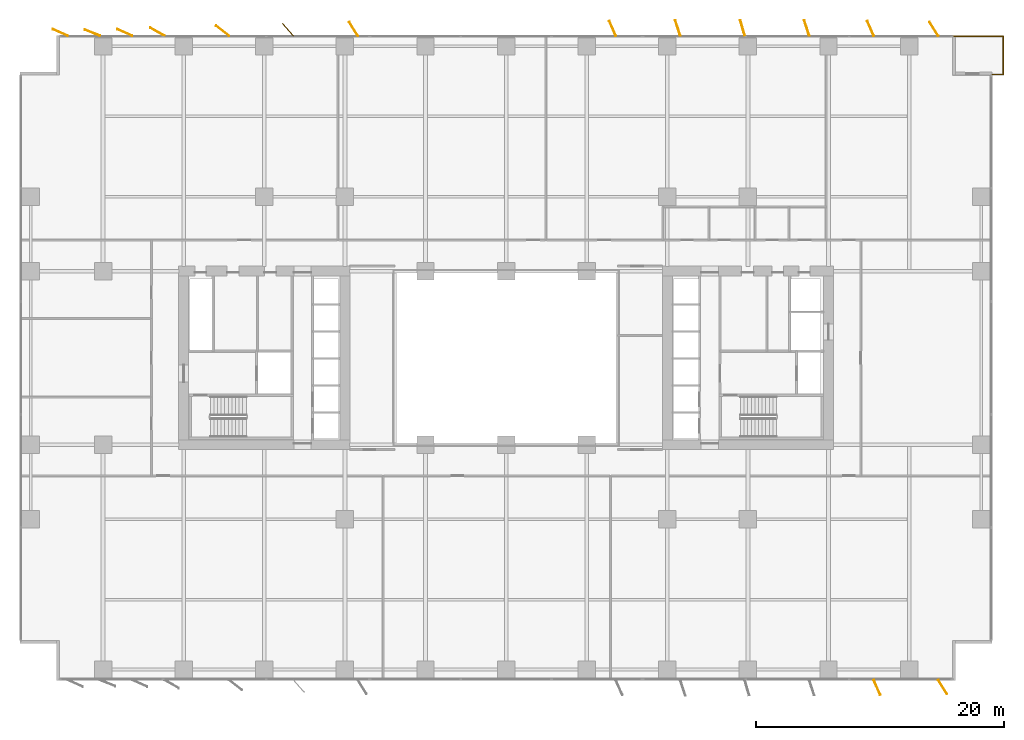
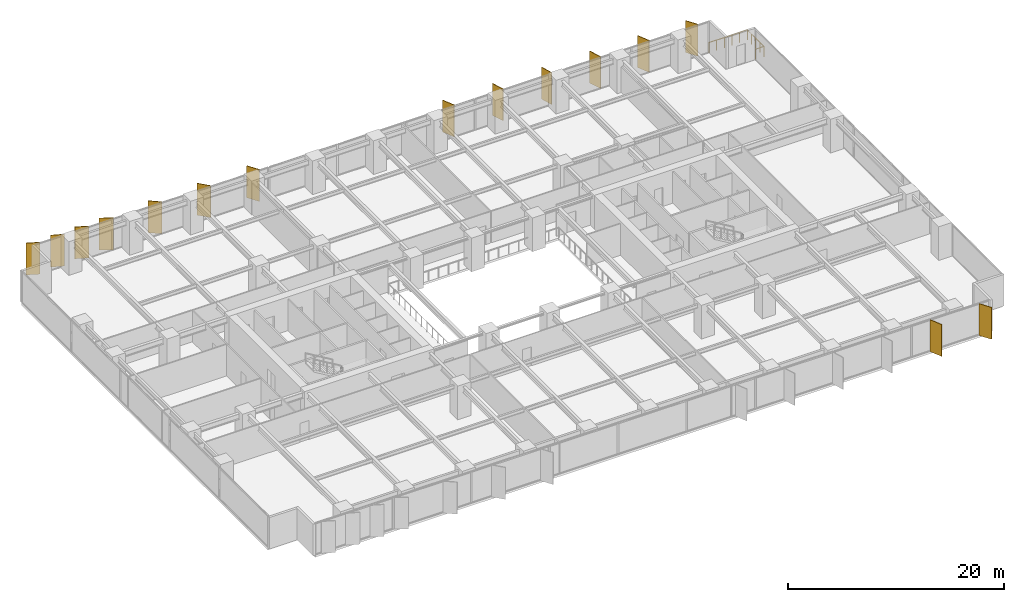
# One storey, part 20 of 20: 15 shading devices, 1 railing.
"""IFC4 building model written with IfcOpenShell, lengths in metres."""

import ifcopenshell
import ifcopenshell.guid

model = None  # the IFC model being written
_history = None  # IfcOwnerHistory: only IFC2X3 demands one
_inside = {}  # id of a spatial element -> (the spatial element, [elements in it])
_under = {}  # id of a project, library or spatial element -> (it, [spatial elements below it])
_declared = {}  # id of a project -> (the project, [libraries it declares])
_typed = {}  # id of a type object -> (the type object, [elements of that type])
_made_of = {}  # id of a material, layer set ... -> (it, [elements and type objects made of it])


def new_model(schema):
    """Start an empty IFC model of exactly this schema.

    Asked for "IFC4X3", IfcOpenShell would pick the latest addendum, in which some entities
    have other attributes; the version numbers below select the first issue.
    IFC2X3 requires an IfcOwnerHistory on every rooted entity: one is made here for all.
    """
    global model, _history
    if schema == "IFC4X3":
        model = ifcopenshell.file(schema_version=(4, 3, 0, 0))
    else:
        model = ifcopenshell.file(schema=schema)
    _inside.clear()
    _under.clear()
    _declared.clear()
    _typed.clear()
    _made_of.clear()
    _history = None
    if model.schema == "IFC2X3":
        org = make("IfcOrganization", Name="unknown")
        user = make(
            "IfcPersonAndOrganization",
            ThePerson=make("IfcPerson", FamilyName="unknown"),
            TheOrganization=org,
        )
        app = make(
            "IfcApplication",
            ApplicationDeveloper=org,
            Version="unknown",
            ApplicationFullName="unknown",
            ApplicationIdentifier="unknown",
        )
        _history = make(
            "IfcOwnerHistory",
            OwningUser=user,
            OwningApplication=app,
            ChangeAction="ADDED",
            CreationDate=0,
        )
    return model


def make(cls, **values):
    """One entity of the class cls with the attributes given. An attribute that is None is left unset."""
    return model.create_entity(
        cls, **{name: value for name, value in values.items() if value is not None}
    )


def rooted(cls, **values):
    """An entity with a GlobalId (a new one), such as an element, a storey or a relation."""
    return make(cls, GlobalId=ifcopenshell.guid.new(), OwnerHistory=_history, **values)


def si_unit(unit_type, name, prefix=None):
    """IfcSIUnit, for example si_unit("LENGTHUNIT", "METRE", prefix="MILLI")."""
    return make("IfcSIUnit", UnitType=unit_type, Prefix=prefix, Name=name)


def assignment(units):
    """IfcUnitAssignment: the units of a project."""
    return None if units is None else make("IfcUnitAssignment", Units=units)


def point(xyz):
    """IfcCartesianPoint."""
    return None if xyz is None else make("IfcCartesianPoint", Coordinates=xyz)


def direction(xyz):
    """IfcDirection."""
    return None if xyz is None else make("IfcDirection", DirectionRatios=xyz)


def frame(location, z_axis=None, x_axis=None):
    """IfcAxis2Placement3D, a coordinate frame: its origin and axes. An axis left out is left unset."""
    return make(
        "IfcAxis2Placement3D",
        Location=point(location),
        Axis=direction(z_axis),
        RefDirection=direction(x_axis),
    )


def frame_2d(location, x_axis=None):
    """IfcAxis2Placement2D, a coordinate frame in the plane: its origin and x axis."""
    return make(
        "IfcAxis2Placement2D", Location=point(location), RefDirection=direction(x_axis)
    )


def origin():
    """The frame at (0, 0, 0) with its axes left unset."""
    return frame((0.0, 0.0, 0.0))


def origin_2d():
    """The frame at (0, 0) in the plane with its x axis left unset."""
    return frame_2d((0.0, 0.0))


def place(relative_to, where):
    """IfcLocalPlacement: puts the frame where relative to a parent placement (None: the world)."""
    return make(
        "IfcLocalPlacement", PlacementRelTo=relative_to, RelativePlacement=where
    )


def context(
    kind, dimensions, precision=None, world=None, true_north=None, identifier=None
):
    """IfcGeometricRepresentationContext, for example the 3D "Model" context."""
    return make(
        "IfcGeometricRepresentationContext",
        ContextIdentifier=identifier,
        ContextType=kind,
        CoordinateSpaceDimension=dimensions,
        Precision=precision,
        WorldCoordinateSystem=world,
        TrueNorth=true_north,
    )


def subcontext(parent, identifier, kind, view, scale=None):
    """IfcGeometricRepresentationSubContext, for example "Body" below "Model"."""
    return make(
        "IfcGeometricRepresentationSubContext",
        ContextIdentifier=identifier,
        ContextType=kind,
        ParentContext=parent,
        TargetScale=scale,
        TargetView=view,
    )


def project(units=None, contexts=None):
    """IfcProject with its units and contexts."""
    return rooted(
        "IfcProject",
        Name="project",
        RepresentationContexts=contexts,
        UnitsInContext=assignment(units),
    )


def spatial(cls, under=None, at=None, **own):
    """A site, building, storey or space (cls), placed at a placement, below another one or the project."""
    s = rooted(cls, ObjectPlacement=at, **own)
    if under is not None:
        _under.setdefault(under.id(), (under, []))[1].append(s)
    return s


def profile(cls, at=None, kind="AREA", **sizes):
    """A parametric profile (cls). Its sizes go by their IFC names, for example OverallWidth=200.0."""
    return make(cls, ProfileType=kind, Position=at, **sizes)


def rectangle(**sizes):
    """IfcRectangleProfileDef."""
    return profile("IfcRectangleProfileDef", **sizes)


def circle(**sizes):
    """IfcCircleProfileDef."""
    return profile("IfcCircleProfileDef", **sizes)


def extrude(swept, where, along, depth):
    """IfcExtrudedAreaSolid: the profile swept, set in the frame where, extruded along a direction by depth."""
    return make(
        "IfcExtrudedAreaSolid",
        SweptArea=swept,
        Position=where,
        ExtrudedDirection=direction(along),
        Depth=depth,
    )


def shape(context_of_items, identifier, shape_type, items):
    """IfcShapeRepresentation: the items that make up one representation, for example the "Body"."""
    return make(
        "IfcShapeRepresentation",
        ContextOfItems=context_of_items,
        RepresentationIdentifier=identifier,
        RepresentationType=shape_type,
        Items=items,
    )


def material(Name=None, Category=None):
    """IfcMaterial."""
    return make("IfcMaterial", Name=Name, Category=Category)


def layer(
    of_material, thickness, ventilated=None, Name=None, Category=None, Priority=None
):
    """IfcMaterialLayer: one layer of a wall or slab, of a material (None: an air gap)."""
    return make(
        "IfcMaterialLayer",
        Material=of_material,
        LayerThickness=thickness,
        IsVentilated=ventilated,
        Name=Name,
        Category=Category,
        Priority=Priority,
    )


def layer_set(layers, Name=None):
    """IfcMaterialLayerSet."""
    return make("IfcMaterialLayerSet", MaterialLayers=layers, LayerSetName=Name)


def made_of(thing, what):
    """Note that an element or type object is made of a material, layer set ...; save() writes the relation."""
    if what is not None:
        _made_of.setdefault(what.id(), (what, []))[1].append(thing)
    return thing


def type_object(cls, material=None, **own):
    """A type object (cls), such as IfcWallType, which elements share."""
    return made_of(rooted(cls, **own), material)


def element(
    cls,
    number,
    at=None,
    inside=None,
    cuts=None,
    type_object=None,
    material=None,
    context=None,
    identifier="Body",
    shape_type=None,
    held_by="IfcProductDefinitionShape",
    body=None,
    shapes=None,
    **own,
):
    """One element of the class cls, such as IfcWall. Its Tag is "e" and its number.

    at: its placement. inside: the storey or other place that contains it. cuts: it is an
    opening in that element (IfcRelVoidsElement). A single representation is given by context,
    identifier, shape_type and body (its items); several are given by shapes. held_by: the class
    of the entity that holds the representations. save() writes the other relations.
    """
    e = rooted(cls, Tag="e%d" % number, ObjectPlacement=at, **own)
    if body is not None:
        shapes = [shape(context, identifier, shape_type, body)]
    if shapes is not None:
        e.Representation = make(held_by, Representations=shapes)
    if inside is not None:
        _inside.setdefault(inside.id(), (inside, []))[1].append(e)
    if cuts is not None:
        rooted(
            "IfcRelVoidsElement", RelatingBuildingElement=cuts, RelatedOpeningElement=e
        )
    if type_object is not None:
        _typed.setdefault(type_object.id(), (type_object, []))[1].append(e)
    return made_of(e, material)


def aggregate(whole, parts):
    """IfcRelAggregates: a whole, such as a stair, and the parts it consists of."""
    return rooted("IfcRelAggregates", RelatingObject=whole, RelatedObjects=parts)


def save(model, path):
    """Write the relations noted so far, then the file.

    IfcRelAggregates (storeys below a building ...), IfcRelContainedInSpatialStructure (elements
    in a storey), IfcRelDefinesByType, IfcRelAssociatesMaterial and IfcRelDeclares: one each for
    every whole, place, type object, material and project.
    """
    for whole, parts in _under.values():
        aggregate(whole, parts)
    for where, things in _inside.values():
        rooted(
            "IfcRelContainedInSpatialStructure",
            RelatedElements=things,
            RelatingStructure=where,
        )
    for kind, things in _typed.values():
        rooted("IfcRelDefinesByType", RelatedObjects=things, RelatingType=kind)
    for what, things in _made_of.values():
        rooted("IfcRelAssociatesMaterial", RelatedObjects=things, RelatingMaterial=what)
    for by, libraries in _declared.values():
        rooted("IfcRelDeclares", RelatingContext=by, RelatedDefinitions=libraries)
    model.write(path)


model = new_model("IFC4")

# Units and contexts
model_context = context("Model", 3, precision=1e-05, world=origin(), true_north=direction((0.0, 1.0)))
body_context = subcontext(model_context, "Body", "Model", "MODEL_VIEW")
ifc_project = project(units=[si_unit("LENGTHUNIT", "METRE"), si_unit("AREAUNIT", "SQUARE_METRE"), si_unit("VOLUMEUNIT", "CUBIC_METRE"), si_unit("PLANEANGLEUNIT", "RADIAN"), si_unit("MASSUNIT", "GRAM", prefix="KILO")], contexts=[model_context])

# Site, building, storey
site_placement = place(None, origin())
site = spatial("IfcSite", under=ifc_project, at=site_placement, CompositionType="ELEMENT")
building_placement = place(site_placement, origin())
building = spatial("IfcBuilding", under=site, at=building_placement, Name="Putna Gate Headquarters", CompositionType="ELEMENT")
storey_placement = place(building_placement, frame((0.0, 0.0, 58.199951171875)))
storey = spatial("IfcBuildingStorey", under=building, at=storey_placement, Name="L13", CompositionType="ELEMENT", Elevation=58.199951171875)

# Railing
ifc_material_1 = material(Name="Anodised bronze steel and laminated glass guardrail", Category="steel")
railing_type = type_object("IfcRailingType", Name="RAIL-TERR-GUARD-1150", PredefinedType="GUARDRAIL", material=ifc_material_1)
railing_placement = place(storey_placement, frame((78.199951171875, 48.860107421875, 0.0)))
element("IfcRailing", 1, at=railing_placement, inside=storey, type_object=railing_type, Name="L13 Spiral Sky Terrace Guardrail NE", PredefinedType="GUARDRAIL", context=body_context, shape_type="SweptSolid", body=[
    extrude(circle(Radius=0.02392578125, at=origin_2d()), frame((0.0, 0.0, 1.1259765625), z_axis=(1.0, 0.0, 0.0), x_axis=(0.0, 1.0, 0.0)), (0.0, 0.0, 1.0), 0.89013671875),
    extrude(circle(Radius=0.02392578125, at=origin_2d()), frame((0.89013671875, 0.0, 1.1259765625), z_axis=(0.0, 1.0, 0.0), x_axis=(-1.0, 0.0, 0.0)), (0.0, 0.0, 1.0), 3.079833984375),
    extrude(circle(Radius=0.02392578125, at=origin_2d()), frame((0.89013671875, 3.079833984375, 1.1259765625), z_axis=(-1.0, 0.0, 0.0), x_axis=(0.0, -1.0, 0.0)), (0.0, 0.0, 1.0), 4.090087890625),
    extrude(circle(Radius=0.02099609375, at=origin_2d()), origin(), (0.0, 0.0, 1.0), 1.101806640625),
    extrude(circle(Radius=0.02099609375, at=origin_2d()), frame((0.89013671875, 0.0, 0.0)), (0.0, 0.0, 1.0), 1.101806640625),
    extrude(circle(Radius=0.02099609375, at=origin_2d()), frame((0.89013671875, 0.77001953125, 0.0)), (0.0, 0.0, 1.0), 1.101806640625),
    extrude(circle(Radius=0.02099609375, at=origin_2d()), frame((0.89013671875, 1.5400390625, 0.0)), (0.0, 0.0, 1.0), 1.101806640625),
    extrude(circle(Radius=0.02099609375, at=origin_2d()), frame((0.89013671875, 2.309814453125, 0.0)), (0.0, 0.0, 1.0), 1.101806640625),
    extrude(circle(Radius=0.02099609375, at=origin_2d()), frame((0.89013671875, 3.079833984375, 0.0)), (0.0, 0.0, 1.0), 1.101806640625),
    extrude(circle(Radius=0.02099609375, at=origin_2d()), frame((0.072021484375, 3.079833984375, 0.0)), (0.0, 0.0, 1.0), 1.101806640625),
    extrude(circle(Radius=0.02099609375, at=origin_2d()), frame((-0.745849609375, 3.079833984375, 0.0)), (0.0, 0.0, 1.0), 1.101806640625),
    extrude(circle(Radius=0.02099609375, at=origin_2d()), frame((-1.56396484375, 3.079833984375, 0.0)), (0.0, 0.0, 1.0), 1.101806640625),
    extrude(circle(Radius=0.02099609375, at=origin_2d()), frame((-2.3818359375, 3.079833984375, 0.0)), (0.0, 0.0, 1.0), 1.101806640625),
    extrude(circle(Radius=0.02099609375, at=origin_2d()), frame((-3.199951171875, 3.079833984375, 0.0)), (0.0, 0.0, 1.0), 1.101806640625),
])

# Shading devices
ifc_material_2 = material(Name="Anodised architectural bronze aluminium fin", Category="aluminium")
ifc_layer = layer(ifc_material_2, 0.06494140625)
ifc_layer_set = layer_set([ifc_layer], Name="Anodised architectural bronze aluminium fin")
shading_device_type = type_object("IfcShadingDeviceType", Name="SHADE-BRONZE-FIN-1320", PredefinedType="USERDEFINED", material=ifc_layer_set)
for number, where, z_axis, x_axis, name in (
    (2, (3.047119140625, 52.2431640625, -0.02001953125), (0.0, 0.0, 1.0), (-0.913687379856, 0.40641773078, 0.0), "L13 Bronze Vertical Shading Fin N1"),
    (3, (5.63818359375, 52.22216796875, -0.02001953125), (0.0, 0.0, 1.0), (-0.927183854567, 0.374606593416, 0.0), "L13 Bronze Vertical Shading Fin N2"),
    (4, (8.2470703125, 52.2431640625, -0.02001953125), (0.0, 0.0, 1.0), (-0.913687379856, 0.40641773078, 0.0), "L13 Bronze Vertical Shading Fin N3"),
    (5, (10.876220703125, 52.30126953125, -0.02001953125), (0.0, 0.0, 1.0), (-0.869322458298, 0.494245347472, 0.0), "L13 Bronze Vertical Shading Fin N4"),
    (6, (16.13037109375, 52.3818359375, -0.02001953125), (0.0, 0.0, 1.0), (-0.787473187632, 0.616348909921, 0.0), "L13 Bronze Vertical Shading Fin N5"),
    (7, (21.408447265625, 52.465576171875, -0.02001953125), (0.0, 0.0, 1.0), (-0.669130606359, 0.743144825477, 0.0), "L13 Bronze Vertical Shading Fin N6"),
    (8, (26.69970703125, 52.534423828125, -0.02001953125), (0.0, 0.0, 1.0), (-0.530659123936, 0.847585331506, 0.0), "L13 Bronze Vertical Shading Fin N7"),
    (9, (47.585693359375, 52.57958984375, -0.02001953125), (0.0, 0.0, 1.0), (-0.400668879095, 0.916222925562, 0.0), "L13 Bronze Vertical Shading Fin N8"),
    (10, (52.84619140625, 52.602783203125, -0.02001953125), (0.0, 0.0, 1.0), (-0.308684994204, 0.951164325631, 0.0), "L13 Bronze Vertical Shading Fin N9"),
    (11, (58.068115234375, 52.609375, -0.02001953125), (0.0, 0.0, 1.0), (-0.275637355817, 0.961261695938, 0.0), "L13 Bronze Vertical Shading Fin N10"),
    (12, (63.246337890625, 52.602783203125, -0.02001953125), (0.0, 0.0, 1.0), (-0.308684994204, 0.951164325631, 0.0), "L13 Bronze Vertical Shading Fin N11"),
    (13, (68.914306640625, -0.57958984375, -0.02001953125), (0.0, 0.0, 1.0), (0.400668879095, -0.916222925562, 0.0), "L13 Bronze Vertical Shading Fin S12"),
    (14, (68.385498046875, 52.57958984375, -0.02001953125), (0.0, 0.0, 1.0), (-0.400668879095, 0.916222925562, 0.0), "L13 Bronze Vertical Shading Fin N12"),
    (15, (74.2001953125, -0.534423828125, -0.02001953125), (0.0, 0.0, 1.0), (0.530659123936, -0.847585331506, 0.0), "L13 Bronze Vertical Shading Fin S13"),
    (16, (73.499755859375, 52.534423828125, -0.02001953125), (0.0, 0.0, 1.0), (-0.530659123936, 0.847585331506, 0.0), "L13 Bronze Vertical Shading Fin N13"),
):
    element("IfcShadingDevice", number, at=place(storey_placement, frame(where, z_axis=z_axis, x_axis=x_axis)), inside=storey, type_object=shading_device_type, Name=name, ObjectType="FIN", PredefinedType="USERDEFINED", context=body_context, shape_type="SweptSolid", body=[
        extrude(rectangle(XDim=1.320068359375, YDim=0.06494140625, at=origin_2d()), origin(), (0.0, 0.0, 1.0), 3.590087890625),
    ])

save(model, "model.ifc")
